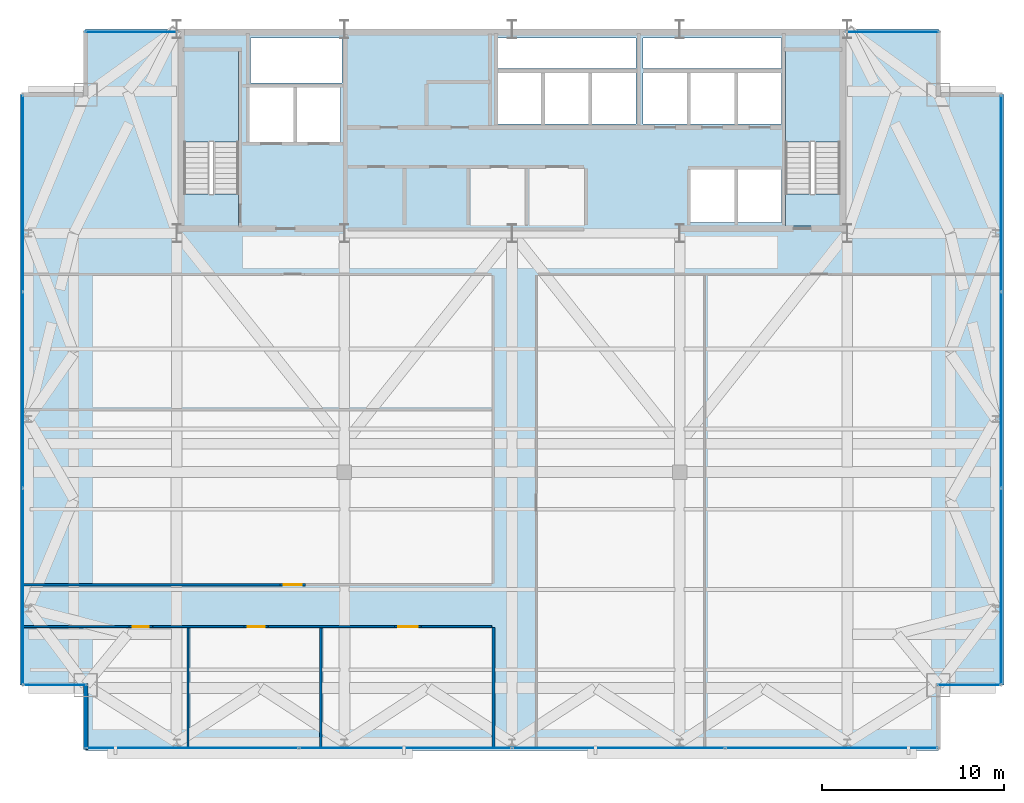
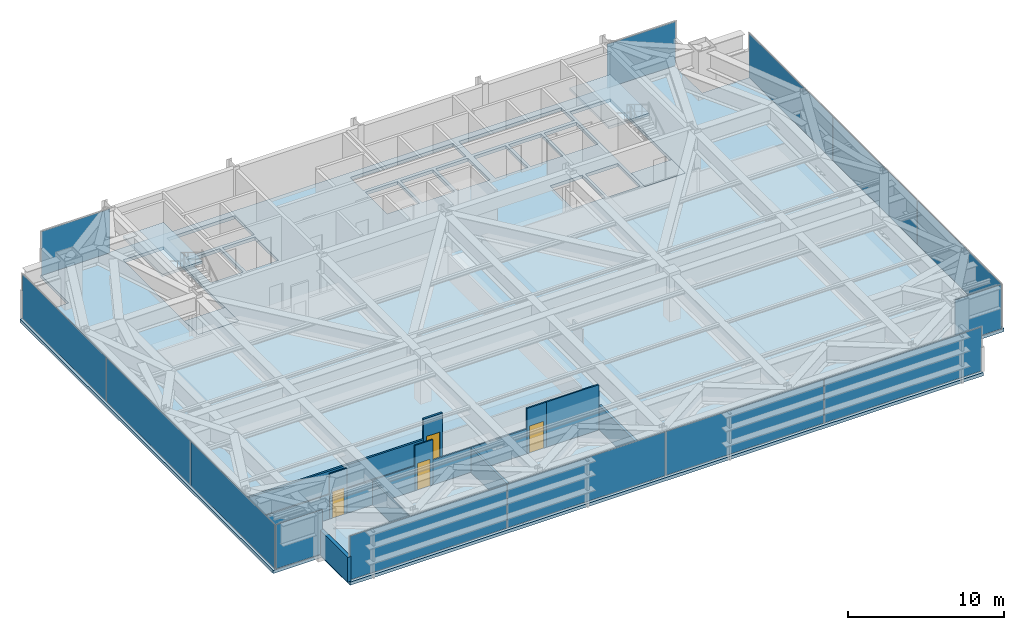
# One storey, part 22 of 26: 14 plates, 13 walls, 5 slabs, 4 doors, 4 openings, 9 elements without a shape of their own.
"""IFC4 building model written with IfcOpenShell, lengths in metres."""

from ifc_helpers import new_model, si_unit, direction, frame, frame_2d, origin, origin_2d, place, context, subcontext, project, spatial, polyline, rectangle, outline, extrude, source, transform, mapped, material, layer, layer_set, type_object, type_shapes, element, fill, aggregate, save


model = new_model("IFC4")

# Units and contexts
model_context = context("Model", 3, precision=1e-05, world=origin(), true_north=direction((0.0, 1.0)))
body_context = subcontext(model_context, "Body", "Model", "MODEL_VIEW")
ifc_project = project(units=[si_unit("LENGTHUNIT", "METRE"), si_unit("AREAUNIT", "SQUARE_METRE"), si_unit("VOLUMEUNIT", "CUBIC_METRE"), si_unit("PLANEANGLEUNIT", "RADIAN"), si_unit("MASSUNIT", "GRAM", prefix="KILO")], contexts=[model_context])

# Site, building, storey
site_placement = place(None, origin())
site = spatial("IfcSite", under=ifc_project, at=site_placement, CompositionType="ELEMENT")
building_placement = place(site_placement, origin())
building = spatial("IfcBuilding", under=site, at=building_placement, Name="Varnel Quay Broadcast Tower", CompositionType="ELEMENT")
storey_placement = place(building_placement, frame((0.0, 0.0, 196.0)))
storey = spatial("IfcBuildingStorey", under=building, at=storey_placement, Name="L48", CompositionType="ELEMENT", Elevation=196.0)

# Slabs
ifc_material_1 = material(Name="Concrete CSA A23.3 C50/60", Category="concrete")
ifc_layer_1 = layer(ifc_material_1, 0.25, Name="Concrete CSA A23.3 C50/60")
ifc_layer_set_1 = layer_set([ifc_layer_1], Name="Concrete CSA A23.3 C50/60")
slab_type_1 = type_object("IfcSlabType", Name="Slab_Floor250", PredefinedType="FLOOR", material=ifc_layer_set_1)
slab_1_placement = place(storey_placement, frame((0.0, 0.0, -0.25)))
element("IfcSlab", 1, at=slab_1_placement, inside=storey, type_object=slab_type_1, Name="L48 Structural Slab", PredefinedType="FLOOR", context=body_context, shape_type="SweptSolid", body=[
    extrude(outline(polyline([(10.60009765625, 7.199951171875), (57.39990234375, 7.199951171875), (57.39990234375, 10.800048828125), (61.0, 10.800048828125), (61.0, 43.199951171875), (57.39990234375, 43.199951171875), (57.39990234375, 46.800048828125), (10.60009765625, 46.800048828125), (10.60009765625, 43.199951171875), (7.0, 43.199951171875), (7.0, 10.800048828125), (10.60009765625, 10.800048828125), (10.60009765625, 7.199951171875)]), holes=[polyline([(19.0, 36.0), (16.0, 36.0), (16.0, 45.60009765625), (19.0, 45.60009765625), (19.0, 36.0)]), polyline([(19.60009765625, 43.60009765625), (22.0, 43.60009765625), (22.0, 40.60009765625), (19.60009765625, 40.60009765625), (19.60009765625, 43.60009765625)]), polyline([(22.199951171875, 43.60009765625), (24.60009765625, 43.60009765625), (24.60009765625, 40.60009765625), (22.199951171875, 40.60009765625), (22.199951171875, 43.60009765625)]), polyline([(33.199951171875, 44.39990234375), (35.60009765625, 44.39990234375), (35.60009765625, 41.60009765625), (33.199951171875, 41.60009765625), (33.199951171875, 44.39990234375)]), polyline([(35.800048828125, 44.39990234375), (38.199951171875, 44.39990234375), (38.199951171875, 41.60009765625), (35.800048828125, 41.60009765625), (35.800048828125, 44.39990234375)]), polyline([(38.39990234375, 44.39990234375), (40.800048828125, 44.39990234375), (40.800048828125, 41.60009765625), (38.39990234375, 41.60009765625), (38.39990234375, 44.39990234375)]), polyline([(19.64990234375, 46.300048828125), (24.679931640625, 46.300048828125), (24.679931640625, 43.85009765625), (19.64990234375, 43.85009765625), (19.64990234375, 46.300048828125)]), polyline([(33.199951171875, 46.300048828125), (40.800048828125, 46.300048828125), (40.800048828125, 44.64990234375), (33.199951171875, 44.64990234375), (33.199951171875, 46.300048828125)]), polyline([(43.800048828125, 39.10009765625), (46.199951171875, 39.10009765625), (46.199951171875, 36.199951171875), (43.800048828125, 36.199951171875), (43.800048828125, 39.10009765625)]), polyline([(46.39990234375, 39.10009765625), (48.800048828125, 39.10009765625), (48.800048828125, 36.199951171875), (46.39990234375, 36.199951171875), (46.39990234375, 39.10009765625)]), polyline([(49.0, 36.0), (49.0, 45.60009765625), (52.0, 45.60009765625), (52.0, 36.0), (49.0, 36.0)]), polyline([(41.199951171875, 44.39990234375), (43.60009765625, 44.39990234375), (43.60009765625, 41.60009765625), (41.199951171875, 41.60009765625), (41.199951171875, 44.39990234375)]), polyline([(43.800048828125, 44.39990234375), (46.199951171875, 44.39990234375), (46.199951171875, 41.60009765625), (43.800048828125, 41.60009765625), (43.800048828125, 44.39990234375)]), polyline([(46.39990234375, 44.39990234375), (48.800048828125, 44.39990234375), (48.800048828125, 41.60009765625), (46.39990234375, 41.60009765625), (46.39990234375, 44.39990234375)]), polyline([(41.199951171875, 46.300048828125), (48.800048828125, 46.300048828125), (48.800048828125, 44.64990234375), (41.199951171875, 44.64990234375), (41.199951171875, 46.300048828125)])]), origin(), (0.0, 0.0, 1.0), 0.25),
])
ifc_layer_2 = layer(ifc_material_1, 0.25, Name="Concrete CSA A23.3 C50/60")
ifc_layer_set_2 = layer_set([ifc_layer_2], Name="Concrete CSA A23.3 C50/60")
slab_type_2 = type_object("IfcSlabType", Name="Slab_StairFloorLanding250", PredefinedType="FLOOR", material=ifc_layer_set_2)
slab_2_placement = place(storey_placement, frame((0.0, 0.0, -0.25)))
element("IfcSlab", 2, at=slab_2_placement, inside=storey, type_object=slab_type_2, Name="L48 ST-01 Structural Floor Landing Slab", PredefinedType="FLOOR", context=body_context, shape_type="SweptSolid", body=[
    extrude(outline(polyline([(19.0, 36.0), (19.0, 37.75), (16.0, 37.75), (16.0, 36.0), (19.0, 36.0)])), origin(), (0.0, 0.0, 1.0), 0.25),
])
slab_3_placement = place(storey_placement, frame((0.0, 0.0, -0.25)))
element("IfcSlab", 3, at=slab_3_placement, inside=storey, type_object=slab_type_2, Name="L48 ST-02 Structural Floor Landing Slab", PredefinedType="FLOOR", context=body_context, shape_type="SweptSolid", body=[
    extrude(outline(polyline([(52.0, 36.0), (52.0, 37.75), (49.0, 37.75), (49.0, 36.0), (52.0, 36.0)])), origin(), (0.0, 0.0, 1.0), 0.25),
])

# Stair, slab
ifc_material_2 = material(Name="Precast Structural Concrete C40/50", Category="concrete")
stair_type_1 = type_object("IfcStairType", Name="Stair_ST-01", PredefinedType="HALF_TURN_STAIR", material=ifc_material_2)
stair_1_placement = place(storey_placement, origin())
stair_1 = element("IfcStair", 4, at=stair_1_placement, inside=storey, type_object=stair_type_1, Name="L48 West Core Exit Stair 1", PredefinedType="HALF_TURN_STAIR")
ifc_layer_3 = layer(ifc_material_2, 0.199951171875, Name="Precast Structural Concrete C40/50")
ifc_layer_set_3 = layer_set([ifc_layer_3], Name="Precast Structural Concrete C40/50")
slab_type_3 = type_object("IfcSlabType", Name="Slab_StairLanding200", PredefinedType="LANDING", material=ifc_layer_set_3)
slab_4_placement = place(storey_placement, frame((0.0, 0.0, 1.699951171875)))
slab_4 = element("IfcSlab", 5, at=slab_4_placement, type_object=slab_type_3, Name="ST-01 landing 1", PredefinedType="LANDING", context=body_context, shape_type="SweptSolid", body=[
    extrude(outline(polyline([(19.0, 40.60009765625), (19.0, 45.60009765625), (16.0, 45.60009765625), (16.0, 40.60009765625), (19.0, 40.60009765625)])), origin(), (0.0, 0.0, 1.0), 0.199951171875),
])
aggregate(stair_1, [slab_4])

stair_type_2 = type_object("IfcStairType", Name="Stair_ST-02", PredefinedType="HALF_TURN_STAIR", material=ifc_material_2)
stair_2_placement = place(storey_placement, origin())
stair_2 = element("IfcStair", 6, at=stair_2_placement, inside=storey, type_object=stair_type_2, Name="L48 East Core Exit Stair 2", PredefinedType="HALF_TURN_STAIR")
slab_5_placement = place(storey_placement, frame((0.0, 0.0, 1.699951171875)))
slab_5 = element("IfcSlab", 7, at=slab_5_placement, type_object=slab_type_3, Name="ST-02 landing 1", PredefinedType="LANDING", context=body_context, shape_type="SweptSolid", body=[
    extrude(outline(polyline([(52.0, 40.60009765625), (52.0, 45.60009765625), (49.0, 45.60009765625), (49.0, 40.60009765625), (52.0, 40.60009765625)])), origin(), (0.0, 0.0, 1.0), 0.199951171875),
])
aggregate(stair_2, [slab_5])

# Curtain wall, plate
ifc_material_3 = material(Name="Anodised Bronze Aluminium 6063-T6", Category="aluminium")
ifc_layer_4 = layer(ifc_material_3, 0.18994140625, Name="Anodised Bronze Aluminium 6063-T6")
ifc_layer_set_4 = layer_set([ifc_layer_4], Name="Anodised Bronze Aluminium 6063-T6")
curtain_wall_type_1 = type_object("IfcCurtainWallType", Name="CW_NotchCorner", PredefinedType="NOTDEFINED", material=ifc_layer_set_4)
curtain_wall_1_placement = place(storey_placement, origin())
curtain_wall_1 = element("IfcCurtainWall", 8, at=curtain_wall_1_placement, inside=storey, type_object=curtain_wall_type_1, Name="L48 SW Notch Curtain Wall", PredefinedType="NOTDEFINED")
ifc_material_4 = material(Name="Triple-Glazed Bronze Low-E Architectural Glass", Category="glass")
ifc_layer_5 = layer(ifc_material_4, 0.028076171875, Name="Triple-Glazed Bronze Low-E Architectural Glass")
ifc_layer_set_5 = layer_set([ifc_layer_5], Name="Triple-Glazed Bronze Low-E Architectural Glass")
plate_type_1 = type_object("IfcPlateType", Name="Panel_CWS-04", PredefinedType="CURTAIN_PANEL", material=ifc_layer_set_5)
shared_shape_1 = source(origin(), body_context, "Body", "SweptSolid", [
    extrude(rectangle(XDim=3.409912109375, YDim=0.028076171875, at=origin_2d()), origin(), (0.0, 0.0, 1.0), 3.43994140625),
])
type_shapes(plate_type_1, [shared_shape_1])
plate_1_placement = place(storey_placement, frame((8.9150390625, 10.800048828125, 0.054931640625), z_axis=(0.0, 0.0, 1.0), x_axis=(1.0, 0.0, 0.0)))
plate_1 = element("IfcPlate", 9, at=plate_1_placement, type_object=plate_type_1, Name="CWS-04 panel 1.1", PredefinedType="CURTAIN_PANEL", context=body_context, shape_type="MappedRepresentation", body=[
    mapped(shared_shape_1, transform((0.0, 0.0, 0.0), x_axis=(1.0, 0.0, 0.0), y_axis=(0.0, 1.0, 0.0), z_axis=(0.0, 0.0, 1.0), scale=1.0)),
])
aggregate(curtain_wall_1, [plate_1])

curtain_wall_2_placement = place(storey_placement, origin())
curtain_wall_2 = element("IfcCurtainWall", 10, at=curtain_wall_2_placement, inside=storey, type_object=curtain_wall_type_1, Name="L48 SE Notch Curtain Wall", PredefinedType="NOTDEFINED")
plate_2_placement = place(storey_placement, frame((59.0849609375, 10.800048828125, 0.054931640625), z_axis=(0.0, 0.0, 1.0), x_axis=(1.0, 0.0, 0.0)))
plate_2 = element("IfcPlate", 11, at=plate_2_placement, type_object=plate_type_1, Name="CWS-04 panel 1.1", PredefinedType="CURTAIN_PANEL", context=body_context, shape_type="MappedRepresentation", body=[
    mapped(shared_shape_1, transform((0.0, 0.0, 0.0), x_axis=(1.0, 0.0, 0.0), y_axis=(0.0, 1.0, 0.0), z_axis=(0.0, 0.0, 1.0), scale=1.0)),
])
aggregate(curtain_wall_2, [plate_2])

ifc_layer_6 = layer(ifc_material_3, 0.18994140625, Name="Anodised Bronze Aluminium 6063-T6")
ifc_layer_set_6 = layer_set([ifc_layer_6], Name="Anodised Bronze Aluminium 6063-T6")
curtain_wall_type_2 = type_object("IfcCurtainWallType", Name="CW_UpperTower", PredefinedType="NOTDEFINED", material=ifc_layer_set_6)
curtain_wall_3_placement = place(storey_placement, origin())
curtain_wall_3 = element("IfcCurtainWall", 12, at=curtain_wall_3_placement, inside=storey, type_object=curtain_wall_type_2, Name="L48 NW Wing Curtain Wall", PredefinedType="NOTDEFINED")
ifc_layer_7 = layer(ifc_material_4, 0.030029296875, Name="Triple-Glazed Bronze Low-E Architectural Glass")
ifc_layer_set_7 = layer_set([ifc_layer_7], Name="Triple-Glazed Bronze Low-E Architectural Glass")
plate_type_2 = type_object("IfcPlateType", Name="Panel_CWS-03", PredefinedType="CURTAIN_PANEL", material=ifc_layer_set_7)
shared_shape_2 = source(origin(), body_context, "Body", "SweptSolid", [
    extrude(rectangle(XDim=5.050048828125, YDim=0.030029296875, at=origin_2d()), origin(), (0.0, 0.0, 1.0), 3.429931640625),
])
plate_3_placement = place(storey_placement, frame((13.110107421875, 46.64990234375, 0.06005859375), z_axis=(0.0, 0.0, 1.0), x_axis=(1.0, 0.0, 0.0)))
plate_3 = element("IfcPlate", 13, at=plate_3_placement, type_object=plate_type_2, Name="CWS-03 panel 1.1", PredefinedType="CURTAIN_PANEL", context=body_context, shape_type="MappedRepresentation", body=[
    mapped(shared_shape_2, transform((0.0, 0.0, 0.0), x_axis=(1.0, 0.0, 0.0), y_axis=(0.0, 1.0, 0.0), z_axis=(0.0, 0.0, 1.0), scale=1.0)),
])
aggregate(curtain_wall_3, [plate_3])

curtain_wall_4_placement = place(storey_placement, origin())
curtain_wall_4 = element("IfcCurtainWall", 14, at=curtain_wall_4_placement, inside=storey, type_object=curtain_wall_type_2, Name="L48 NE Wing Curtain Wall", PredefinedType="NOTDEFINED")
plate_4_placement = place(storey_placement, frame((54.889892578125, 46.64990234375, 0.06005859375), z_axis=(0.0, 0.0, 1.0), x_axis=(1.0, 0.0, 0.0)))
plate_4 = element("IfcPlate", 15, at=plate_4_placement, type_object=plate_type_2, Name="CWS-03 panel 1.1", PredefinedType="CURTAIN_PANEL", context=body_context, shape_type="MappedRepresentation", body=[
    mapped(shared_shape_2, transform((0.0, 0.0, 0.0), x_axis=(1.0, 0.0, 0.0), y_axis=(0.0, 1.0, 0.0), z_axis=(0.0, 0.0, 1.0), scale=1.0)),
])
aggregate(curtain_wall_4, [plate_4])

# Curtain wall, plates
curtain_wall_5_placement = place(storey_placement, origin())
curtain_wall_5 = element("IfcCurtainWall", 16, at=curtain_wall_5_placement, inside=storey, type_object=curtain_wall_type_2, Name="L48 South Unitised Curtain Wall 1", PredefinedType="NOTDEFINED")
shared_shape_3 = source(origin(), body_context, "Body", "SweptSolid", [
    extrude(rectangle(XDim=11.6025390625, YDim=0.030029296875, at=origin_2d()), origin(), (0.0, 0.0, 1.0), 3.429931640625),
])
plate_5_placement = place(storey_placement, frame((16.46630859375, 7.35009765625, 0.06005859375), z_axis=(0.0, 0.0, 1.0), x_axis=(1.0, 0.0, 0.0)))
plate_5 = element("IfcPlate", 17, at=plate_5_placement, type_object=plate_type_2, Name="CWS-03 panel 1.1", PredefinedType="CURTAIN_PANEL", context=body_context, shape_type="MappedRepresentation", body=[
    mapped(shared_shape_3, transform((0.0, 0.0, 0.0), x_axis=(1.0, 0.0, 0.0), y_axis=(0.0, 1.0, 0.0), z_axis=(0.0, 0.0, 1.0), scale=1.0)),
])
plate_6_placement = place(storey_placement, frame((51.53369140625, 7.35009765625, 0.06005859375), z_axis=(0.0, 0.0, 1.0), x_axis=(1.0, 0.0, 0.0)))
plate_6 = element("IfcPlate", 18, at=plate_6_placement, type_object=plate_type_2, Name="CWS-03 panel 4.1", PredefinedType="CURTAIN_PANEL", context=body_context, shape_type="MappedRepresentation", body=[
    mapped(shared_shape_3, transform((0.0, 0.0, 0.0), x_axis=(1.0, 0.0, 0.0), y_axis=(0.0, 1.0, 0.0), z_axis=(0.0, 0.0, 1.0), scale=1.0)),
])

curtain_wall_6_placement = place(storey_placement, origin())
curtain_wall_6 = element("IfcCurtainWall", 19, at=curtain_wall_6_placement, inside=storey, type_object=curtain_wall_type_2, Name="L48 West Unitised Curtain Wall", PredefinedType="NOTDEFINED")
shared_shape_4 = source(origin(), body_context, "Body", "SweptSolid", [
    extrude(rectangle(XDim=10.702392578125, YDim=0.030029296875, at=origin_2d()), origin(), (0.0, 0.0, 1.0), 3.429931640625),
])
plate_7_placement = place(storey_placement, frame((7.14990234375, 16.21630859375, 0.06005859375), z_axis=(0.0, 0.0, 1.0), x_axis=(0.0, 1.0, 0.0)))
plate_7 = element("IfcPlate", 20, at=plate_7_placement, type_object=plate_type_2, Name="CWS-03 panel 1.1", PredefinedType="CURTAIN_PANEL", context=body_context, shape_type="MappedRepresentation", body=[
    mapped(shared_shape_4, transform((0.0, 0.0, 0.0), x_axis=(1.0, 0.0, 0.0), y_axis=(0.0, 1.0, 0.0), z_axis=(0.0, 0.0, 1.0), scale=1.0)),
])
plate_8_placement = place(storey_placement, frame((7.14990234375, 37.78369140625, 0.06005859375), z_axis=(0.0, 0.0, 1.0), x_axis=(0.0, 1.0, 0.0)))
plate_8 = element("IfcPlate", 21, at=plate_8_placement, type_object=plate_type_2, Name="CWS-03 panel 3.1", PredefinedType="CURTAIN_PANEL", context=body_context, shape_type="MappedRepresentation", body=[
    mapped(shared_shape_4, transform((0.0, 0.0, 0.0), x_axis=(1.0, 0.0, 0.0), y_axis=(0.0, 1.0, 0.0), z_axis=(0.0, 0.0, 1.0), scale=1.0)),
])

curtain_wall_7_placement = place(storey_placement, origin())
curtain_wall_7 = element("IfcCurtainWall", 22, at=curtain_wall_7_placement, inside=storey, type_object=curtain_wall_type_2, Name="L48 East Unitised Curtain Wall", PredefinedType="NOTDEFINED")
plate_9_placement = place(storey_placement, frame((60.85009765625, 16.21630859375, 0.06005859375), z_axis=(0.0, 0.0, 1.0), x_axis=(0.0, 1.0, 0.0)))
plate_9 = element("IfcPlate", 23, at=plate_9_placement, type_object=plate_type_2, Name="CWS-03 panel 1.1", PredefinedType="CURTAIN_PANEL", context=body_context, shape_type="MappedRepresentation", body=[
    mapped(shared_shape_4, transform((0.0, 0.0, 0.0), x_axis=(1.0, 0.0, 0.0), y_axis=(0.0, 1.0, 0.0), z_axis=(0.0, 0.0, 1.0), scale=1.0)),
])
plate_10_placement = place(storey_placement, frame((60.85009765625, 37.78369140625, 0.06005859375), z_axis=(0.0, 0.0, 1.0), x_axis=(0.0, 1.0, 0.0)))
plate_10 = element("IfcPlate", 24, at=plate_10_placement, type_object=plate_type_2, Name="CWS-03 panel 3.1", PredefinedType="CURTAIN_PANEL", context=body_context, shape_type="MappedRepresentation", body=[
    mapped(shared_shape_4, transform((0.0, 0.0, 0.0), x_axis=(1.0, 0.0, 0.0), y_axis=(0.0, 1.0, 0.0), z_axis=(0.0, 0.0, 1.0), scale=1.0)),
])

# Plate
shared_shape_5 = source(origin(), body_context, "Body", "SweptSolid", [
    extrude(rectangle(XDim=11.635009765625, YDim=0.030029296875, at=origin_2d()), origin(), (0.0, 0.0, 1.0), 3.429931640625),
])
plate_11_placement = place(storey_placement, frame((28.14990234375, 7.35009765625, 0.06005859375), z_axis=(0.0, 0.0, 1.0), x_axis=(1.0, 0.0, 0.0)))
plate_11 = element("IfcPlate", 25, at=plate_11_placement, type_object=plate_type_2, Name="CWS-03 panel 2.1", PredefinedType="CURTAIN_PANEL", context=body_context, shape_type="MappedRepresentation", body=[
    mapped(shared_shape_5, transform((0.0, 0.0, 0.0), x_axis=(1.0, 0.0, 0.0), y_axis=(0.0, 1.0, 0.0), z_axis=(0.0, 0.0, 1.0), scale=1.0)),
])

plate_12_placement = place(storey_placement, frame((39.85009765625, 7.35009765625, 0.06005859375), z_axis=(0.0, 0.0, 1.0), x_axis=(1.0, 0.0, 0.0)))
plate_12 = element("IfcPlate", 26, at=plate_12_placement, type_object=plate_type_2, Name="CWS-03 panel 3.1", PredefinedType="CURTAIN_PANEL", context=body_context, shape_type="MappedRepresentation", body=[
    mapped(shared_shape_5, transform((0.0, 0.0, 0.0), x_axis=(1.0, 0.0, 0.0), y_axis=(0.0, 1.0, 0.0), z_axis=(0.0, 0.0, 1.0), scale=1.0)),
])

aggregate(curtain_wall_5, [plate_5, plate_11, plate_12, plate_6])

shared_shape_6 = source(origin(), body_context, "Body", "SweptSolid", [
    extrude(rectangle(XDim=10.735107421875, YDim=0.030029296875, at=origin_2d()), origin(), (0.0, 0.0, 1.0), 3.429931640625),
])
type_shapes(plate_type_2, [shared_shape_2, shared_shape_3, shared_shape_4, shared_shape_5, shared_shape_6])
plate_13_placement = place(storey_placement, frame((7.14990234375, 27.0, 0.06005859375), z_axis=(0.0, 0.0, 1.0), x_axis=(0.0, 1.0, 0.0)))
plate_13 = element("IfcPlate", 27, at=plate_13_placement, type_object=plate_type_2, Name="CWS-03 panel 2.1", PredefinedType="CURTAIN_PANEL", context=body_context, shape_type="MappedRepresentation", body=[
    mapped(shared_shape_6, transform((0.0, 0.0, 0.0), x_axis=(1.0, 0.0, 0.0), y_axis=(0.0, 1.0, 0.0), z_axis=(0.0, 0.0, 1.0), scale=1.0)),
])

aggregate(curtain_wall_6, [plate_7, plate_13, plate_8])

plate_14_placement = place(storey_placement, frame((60.85009765625, 27.0, 0.06005859375), z_axis=(0.0, 0.0, 1.0), x_axis=(0.0, 1.0, 0.0)))
plate_14 = element("IfcPlate", 28, at=plate_14_placement, type_object=plate_type_2, Name="CWS-03 panel 2.1", PredefinedType="CURTAIN_PANEL", context=body_context, shape_type="MappedRepresentation", body=[
    mapped(shared_shape_6, transform((0.0, 0.0, 0.0), x_axis=(1.0, 0.0, 0.0), y_axis=(0.0, 1.0, 0.0), z_axis=(0.0, 0.0, 1.0), scale=1.0)),
])

aggregate(curtain_wall_7, [plate_9, plate_14, plate_10])

# Walls
ifc_material_5 = material(Name="Precast Architectural Concrete C40/50", Category="concrete")
ifc_layer_8 = layer(ifc_material_5, 0.25, Name="Precast Architectural Concrete C40/50")
ifc_layer_set_8 = layer_set([ifc_layer_8], Name="Precast Architectural Concrete C40/50")
wall_type_1 = type_object("IfcWallType", Name="Wall_ExtTerrace250", PredefinedType="SOLIDWALL", material=ifc_layer_set_8)
wall_1_placement = place(storey_placement, frame((10.60009765625, 7.280029296875, 0.0), z_axis=(0.0, 0.0, 1.0), x_axis=(0.0, 1.0, 0.0)))
element("IfcWall", 29, at=wall_1_placement, inside=storey, type_object=wall_type_1, Name="L48 Mega-Column Notch Cladding Wall NSW2", PredefinedType="SOLIDWALL", context=body_context, shape_type="SweptSolid", body=[
    extrude(rectangle(XDim=3.599853515625, YDim=0.25, at=frame_2d((1.7998046875, 0.0))), origin(), (0.0, 0.0, 1.0), 1.925048828125),
])
ifc_material_6 = material(Name="Steel-Stud Fire-Rated Acoustic Gypsum Partition Assembly", Category="steel")
ifc_layer_9 = layer(ifc_material_6, 0.10498046875, Name="Steel-Stud Fire-Rated Acoustic Gypsum Partition Assembly")
ifc_layer_set_9 = layer_set([ifc_layer_9], Name="Steel-Stud Fire-Rated Acoustic Gypsum Partition Assembly")
wall_type_2 = type_object("IfcWallType", Name="Wall_Partition105", PredefinedType="PARTITIONING", material=ifc_layer_set_9)
wall_2_placement = place(storey_placement, frame((16.219970703125, 7.3798828125, 0.0), z_axis=(0.0, 0.0, 1.0), x_axis=(0.0, 1.0, 0.0)))
element("IfcWall", 30, at=wall_2_placement, inside=storey, type_object=wall_type_2, Name="L48 Ingest Vault Store 1 Partition 7", PredefinedType="PARTITIONING", context=body_context, shape_type="SweptSolid", body=[
    extrude(rectangle(XDim=6.5771484375, YDim=0.10498046875, at=frame_2d((3.28857421875, 0.0))), origin(), (0.0, 0.0, 1.0), 1.925048828125),
])
wall_3_placement = place(storey_placement, frame((7.179931640625, 14.010009765625, 0.0), z_axis=(0.0, 0.0, 1.0), x_axis=(1.0, 0.0, 0.0)))
element("IfcWall", 31, at=wall_3_placement, inside=storey, type_object=wall_type_2, Name="L48 Ingest Vault Store 1 Partition 8", PredefinedType="PARTITIONING", context=body_context, shape_type="SweptSolid", body=[
    extrude(rectangle(XDim=5.815185546875, YDim=0.10498046875, at=frame_2d((2.90771484375, 0.0))), origin(), (0.0, 0.0, 1.0), 1.925048828125),
])

# Wall, opening, door
wall_4_placement = place(storey_placement, frame((12.9951171875, 14.010009765625, 0.0), z_axis=(0.0, 0.0, 1.0), x_axis=(1.0, 0.0, 0.0)))
wall_4 = element("IfcWall", 32, at=wall_4_placement, inside=storey, type_object=wall_type_2, Name="L48 Ingest Vault Store 1 Door Partition 9", PredefinedType="PARTITIONING", context=body_context, shape_type="SweptSolid", body=[
    extrude(rectangle(XDim=1.27978515625, YDim=0.10498046875, at=frame_2d((0.639892578125, 0.0))), origin(), (0.0, 0.0, 1.0), 3.530029296875),
])
opening_1_placement = place(wall_4_placement, frame((0.199951171875, 0.0, 0.0)))
opening_1 = element("IfcOpeningElement", 33, at=opening_1_placement, cuts=wall_4, Name="Opening D-L48-05", PredefinedType="OPENING", context=body_context, shape_type="SweptSolid", body=[
    extrude(rectangle(XDim=0.8798828125, YDim=2.06005859375, at=frame_2d((0.43994140625, 1.030029296875))), frame((0.0, 0.0625, 0.0), z_axis=(0.0, -1.0, 0.0), x_axis=(1.0, 0.0, 0.0)), (0.0, 0.0, 1.0), 0.125),
])
ifc_material_7 = material(Name="Solid-Core Fire-Rated Acoustic Oak Veneer Door", Category="wood")
door_type_1 = type_object("IfcDoorType", Name="Door_Booth880", OperationType="NOTDEFINED", PredefinedType="DOOR", material=ifc_material_7)
shared_shape_7 = source(origin(), body_context, "Body", "SweptSolid", [
    extrude(rectangle(XDim=0.8798828125, YDim=2.06005859375, at=frame_2d((0.43994140625, 1.030029296875))), frame((0.0, 0.02490234375, 0.0), z_axis=(0.0, -1.0, 0.0), x_axis=(1.0, 0.0, 0.0)), (0.0, 0.0, 1.0), 0.050048828125),
])
type_shapes(door_type_1, [shared_shape_7])
door_1_placement = place(opening_1_placement, frame((0.8798828125, 0.0, 0.0), z_axis=(0.0, 0.0, 1.0), x_axis=(-1.0, 0.0, 0.0)))
door_1 = element("IfcDoor", 34, at=door_1_placement, inside=storey, type_object=door_type_1, Name="L48 Ingest Vault Store 1 Door D-L48-05", OperationType="SINGLE_SWING_RIGHT", OverallHeight=2.06005859375, OverallWidth=0.8798828125, PredefinedType="DOOR", context=body_context, shape_type="MappedRepresentation", body=[
    mapped(shared_shape_7, transform((0.0, 0.0, 0.0), x_axis=(1.0, 0.0, 0.0), y_axis=(0.0, 1.0, 0.0), z_axis=(0.0, 0.0, 1.0), scale=1.0)),
])
fill(opening_1, door_1)

# Wall
wall_5_placement = place(storey_placement, frame((14.27490234375, 14.010009765625, 0.0), z_axis=(0.0, 0.0, 1.0), x_axis=(1.0, 0.0, 0.0)))
element("IfcWall", 35, at=wall_5_placement, inside=storey, type_object=wall_type_2, Name="L48 Ingest Vault Store 1 Partition 10", PredefinedType="PARTITIONING", context=body_context, shape_type="SweptSolid", body=[
    extrude(rectangle(XDim=5.025146484375, YDim=0.10498046875, at=frame_2d((2.5126953125, 0.0))), origin(), (0.0, 0.0, 1.0), 1.925048828125),
])

# Wall, opening, door
wall_6_placement = place(storey_placement, frame((19.300048828125, 14.010009765625, 0.0), z_axis=(0.0, 0.0, 1.0), x_axis=(1.0, 0.0, 0.0)))
wall_6 = element("IfcWall", 36, at=wall_6_placement, inside=storey, type_object=wall_type_2, Name="L48 Color Timing Suite 2 Door Partition 11", PredefinedType="PARTITIONING", context=body_context, shape_type="SweptSolid", body=[
    extrude(rectangle(XDim=1.320068359375, YDim=0.10498046875, at=frame_2d((0.66015625, 0.0))), origin(), (0.0, 0.0, 1.0), 3.530029296875),
])
opening_2_placement = place(wall_6_placement, frame((0.199951171875, 0.0, 0.0)))
opening_2 = element("IfcOpeningElement", 37, at=opening_2_placement, cuts=wall_6, Name="Opening D-L48-06", PredefinedType="OPENING", context=body_context, shape_type="SweptSolid", body=[
    extrude(rectangle(XDim=0.919921875, YDim=2.080078125, at=frame_2d((0.4599609375, 1.0400390625))), frame((0.0, 0.0625, 0.0), z_axis=(0.0, -1.0, 0.0), x_axis=(1.0, 0.0, 0.0)), (0.0, 0.0, 1.0), 0.125),
])
door_type_2 = type_object("IfcDoorType", Name="Door_Office920", OperationType="NOTDEFINED", PredefinedType="DOOR", material=ifc_material_7)
shared_shape_8 = source(origin(), body_context, "Body", "SweptSolid", [
    extrude(rectangle(XDim=0.919921875, YDim=2.080078125, at=frame_2d((0.4599609375, 1.0400390625))), frame((0.0, 0.02490234375, 0.0), z_axis=(0.0, -1.0, 0.0), x_axis=(1.0, 0.0, 0.0)), (0.0, 0.0, 1.0), 0.050048828125),
])
type_shapes(door_type_2, [shared_shape_8])
door_2_placement = place(opening_2_placement, frame((0.919921875, 0.0, 0.0), z_axis=(0.0, 0.0, 1.0), x_axis=(-1.0, 0.0, 0.0)))
door_2 = element("IfcDoor", 38, at=door_2_placement, inside=storey, type_object=door_type_2, Name="L48 Color Timing Suite 2 Door D-L48-06", OperationType="SINGLE_SWING_LEFT", OverallHeight=2.080078125, OverallWidth=0.919921875, PredefinedType="DOOR", context=body_context, shape_type="MappedRepresentation", body=[
    mapped(shared_shape_8, transform((0.0, 0.0, 0.0), x_axis=(1.0, 0.0, 0.0), y_axis=(0.0, 1.0, 0.0), z_axis=(0.0, 0.0, 1.0), scale=1.0)),
])
fill(opening_2, door_2)

# Wall
wall_7_placement = place(storey_placement, frame((20.6201171875, 14.010009765625, 0.0), z_axis=(0.0, 0.0, 1.0), x_axis=(1.0, 0.0, 0.0)))
element("IfcWall", 39, at=wall_7_placement, inside=storey, type_object=wall_type_2, Name="L48 Ingest Vault Store 1 Partition 12", PredefinedType="PARTITIONING", context=body_context, shape_type="SweptSolid", body=[
    extrude(rectangle(XDim=6.94482421875, YDim=0.10498046875, at=frame_2d((3.472412109375, 0.0))), origin(), (0.0, 0.0, 1.0), 1.925048828125),
])

# Wall, opening, door
wall_8_placement = place(storey_placement, frame((27.56494140625, 14.010009765625, 0.0), z_axis=(0.0, 0.0, 1.0), x_axis=(1.0, 0.0, 0.0)))
wall_8 = element("IfcWall", 40, at=wall_8_placement, inside=storey, type_object=wall_type_2, Name="L48 Screening Meeting Room 3 Door Partition 13", PredefinedType="PARTITIONING", context=body_context, shape_type="SweptSolid", body=[
    extrude(rectangle(XDim=1.449951171875, YDim=0.10498046875, at=frame_2d((0.72509765625, 0.0))), origin(), (0.0, 0.0, 1.0), 3.530029296875),
])
opening_3_placement = place(wall_8_placement, frame((0.199951171875, 0.0, 0.0)))
opening_3 = element("IfcOpeningElement", 41, at=opening_3_placement, cuts=wall_8, Name="Opening D-L48-07", PredefinedType="OPENING", context=body_context, shape_type="SweptSolid", body=[
    extrude(rectangle(XDim=1.050048828125, YDim=2.10009765625, at=frame_2d((0.52490234375, 1.050048828125))), frame((0.0, 0.0625, 0.0), z_axis=(0.0, -1.0, 0.0), x_axis=(1.0, 0.0, 0.0)), (0.0, 0.0, 1.0), 0.125),
])
door_type_3 = type_object("IfcDoorType", Name="Door_Meeting1050", OperationType="NOTDEFINED", PredefinedType="DOOR", material=ifc_material_7)
shared_shape_9 = source(origin(), body_context, "Body", "SweptSolid", [
    extrude(rectangle(XDim=1.050048828125, YDim=2.10009765625, at=frame_2d((0.52490234375, 1.050048828125))), frame((0.0, 0.02490234375, 0.0), z_axis=(0.0, -1.0, 0.0), x_axis=(1.0, 0.0, 0.0)), (0.0, 0.0, 1.0), 0.050048828125),
])
type_shapes(door_type_3, [shared_shape_9])
door_3_placement = place(opening_3_placement, frame((1.050048828125, 0.0, 0.0), z_axis=(0.0, 0.0, 1.0), x_axis=(-1.0, 0.0, 0.0)))
door_3 = element("IfcDoor", 42, at=door_3_placement, inside=storey, type_object=door_type_3, Name="L48 Screening Meeting Room 3 Door D-L48-07", OperationType="SINGLE_SWING_RIGHT", OverallHeight=2.10009765625, OverallWidth=1.050048828125, PredefinedType="DOOR", context=body_context, shape_type="MappedRepresentation", body=[
    mapped(shared_shape_9, transform((0.0, 0.0, 0.0), x_axis=(1.0, 0.0, 0.0), y_axis=(0.0, 1.0, 0.0), z_axis=(0.0, 0.0, 1.0), scale=1.0)),
])
fill(opening_3, door_3)

# Walls
wall_9_placement = place(storey_placement, frame((29.014892578125, 14.010009765625, 0.0), z_axis=(0.0, 0.0, 1.0), x_axis=(1.0, 0.0, 0.0)))
element("IfcWall", 43, at=wall_9_placement, inside=storey, type_object=wall_type_2, Name="L48 Ingest Vault Store 1 Partition 14", PredefinedType="PARTITIONING", context=body_context, shape_type="SweptSolid", body=[
    extrude(rectangle(XDim=3.864990234375, YDim=0.10498046875, at=frame_2d((1.9326171875, 0.0))), origin(), (0.0, 0.0, 1.0), 3.530029296875),
])
ifc_layer_10 = layer(ifc_material_6, 0.139892578125, Name="Steel-Stud Fire-Rated Acoustic Gypsum Partition Assembly")
ifc_layer_set_10 = layer_set([ifc_layer_10], Name="Steel-Stud Fire-Rated Acoustic Gypsum Partition Assembly")
wall_type_3 = type_object("IfcWallType", Name="Wall_Partition140", PredefinedType="PARTITIONING", material=ifc_layer_set_10)
wall_10_placement = place(storey_placement, frame((7.179931640625, 16.31005859375, 0.0), z_axis=(0.0, 0.0, 1.0), x_axis=(1.0, 0.0, 0.0)))
element("IfcWall", 44, at=wall_10_placement, inside=storey, type_object=wall_type_3, Name="L48 Producer Lounge 4 Partition 17", PredefinedType="PARTITIONING", context=body_context, shape_type="SweptSolid", body=[
    extrude(rectangle(XDim=14.0849609375, YDim=0.139892578125, at=frame_2d((7.04248046875, 0.0))), origin(), (0.0, 0.0, 1.0), 1.925048828125),
])

# Wall, opening, door
wall_11_placement = place(storey_placement, frame((21.264892578125, 16.31005859375, 0.0), z_axis=(0.0, 0.0, 1.0), x_axis=(1.0, 0.0, 0.0)))
wall_11 = element("IfcWall", 45, at=wall_11_placement, inside=storey, type_object=wall_type_3, Name="L48 Producer Lounge 4 Door Partition 18", PredefinedType="PARTITIONING", context=body_context, shape_type="SweptSolid", body=[
    extrude(rectangle(XDim=1.400146484375, YDim=0.139892578125, at=frame_2d((0.7001953125, 0.0))), origin(), (0.0, 0.0, 1.0), 3.530029296875),
])
opening_4_placement = place(wall_11_placement, frame((0.199951171875, 0.0, 0.0)))
opening_4 = element("IfcOpeningElement", 46, at=opening_4_placement, cuts=wall_11, Name="Opening D-L48-08", PredefinedType="OPENING", context=body_context, shape_type="SweptSolid", body=[
    extrude(rectangle(XDim=1.0, YDim=2.10009765625, at=frame_2d((0.5, 1.050048828125))), frame((0.0, 0.080078125, 0.0), z_axis=(0.0, -1.0, 0.0), x_axis=(1.0, 0.0, 0.0)), (0.0, 0.0, 1.0), 0.159912109375),
])
door_type_4 = type_object("IfcDoorType", Name="Door_Exec1000", OperationType="NOTDEFINED", PredefinedType="DOOR", material=ifc_material_7)
shared_shape_10 = source(origin(), body_context, "Body", "SweptSolid", [
    extrude(rectangle(XDim=1.0, YDim=2.10009765625, at=frame_2d((0.5, 1.050048828125))), frame((0.0, 0.02490234375, 0.0), z_axis=(0.0, -1.0, 0.0), x_axis=(1.0, 0.0, 0.0)), (0.0, 0.0, 1.0), 0.050048828125),
])
type_shapes(door_type_4, [shared_shape_10])
door_4_placement = place(opening_4_placement, origin())
door_4 = element("IfcDoor", 47, at=door_4_placement, inside=storey, type_object=door_type_4, Name="L48 Producer Lounge 4 Door D-L48-08", OperationType="SINGLE_SWING_LEFT", OverallHeight=2.10009765625, OverallWidth=1.0, PredefinedType="DOOR", context=body_context, shape_type="MappedRepresentation", body=[
    mapped(shared_shape_10, transform((0.0, 0.0, 0.0), x_axis=(1.0, 0.0, 0.0), y_axis=(0.0, 1.0, 0.0), z_axis=(0.0, 0.0, 1.0), scale=1.0)),
])
fill(opening_4, door_4)

# Walls
ifc_layer_11 = layer(ifc_material_6, 0.14990234375, Name="Steel-Stud Fire-Rated Acoustic Gypsum Partition Assembly")
ifc_layer_set_11 = layer_set([ifc_layer_11], Name="Steel-Stud Fire-Rated Acoustic Gypsum Partition Assembly")
wall_type_4 = type_object("IfcWallType", Name="Wall_Partition150", PredefinedType="PARTITIONING", material=ifc_layer_set_11)
wall_12_placement = place(storey_placement, frame((23.5, 7.3798828125, 0.0), z_axis=(0.0, 0.0, 1.0), x_axis=(0.0, 1.0, 0.0)))
element("IfcWall", 48, at=wall_12_placement, inside=storey, type_object=wall_type_4, Name="L48 Color Timing Suite 2 Partition 15", PredefinedType="PARTITIONING", context=body_context, shape_type="SweptSolid", body=[
    extrude(rectangle(XDim=6.5771484375, YDim=0.14990234375, at=frame_2d((3.28857421875, 0.0))), origin(), (0.0, 0.0, 1.0), 1.925048828125),
])
ifc_layer_12 = layer(ifc_material_6, 0.175048828125, Name="Steel-Stud Fire-Rated Acoustic Gypsum Partition Assembly")
ifc_layer_set_12 = layer_set([ifc_layer_12], Name="Steel-Stud Fire-Rated Acoustic Gypsum Partition Assembly")
wall_type_5 = type_object("IfcWallType", Name="Wall_Partition175", PredefinedType="PARTITIONING", material=ifc_layer_set_12)
wall_13_placement = place(storey_placement, frame((32.97998046875, 7.3798828125, 0.0), z_axis=(0.0, 0.0, 1.0), x_axis=(0.0, 1.0, 0.0)))
element("IfcWall", 49, at=wall_13_placement, inside=storey, type_object=wall_type_5, Name="L48 Screening Meeting Room 3 Partition 16", PredefinedType="PARTITIONING", context=body_context, shape_type="SweptSolid", body=[
    extrude(rectangle(XDim=6.5771484375, YDim=0.175048828125, at=frame_2d((3.28857421875, 0.0))), origin(), (0.0, 0.0, 1.0), 1.925048828125),
])

save(model, "model.ifc")
